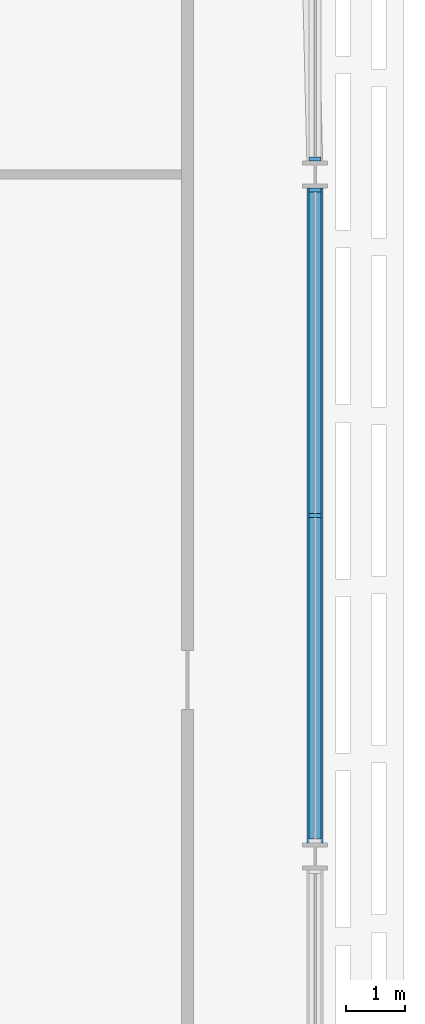
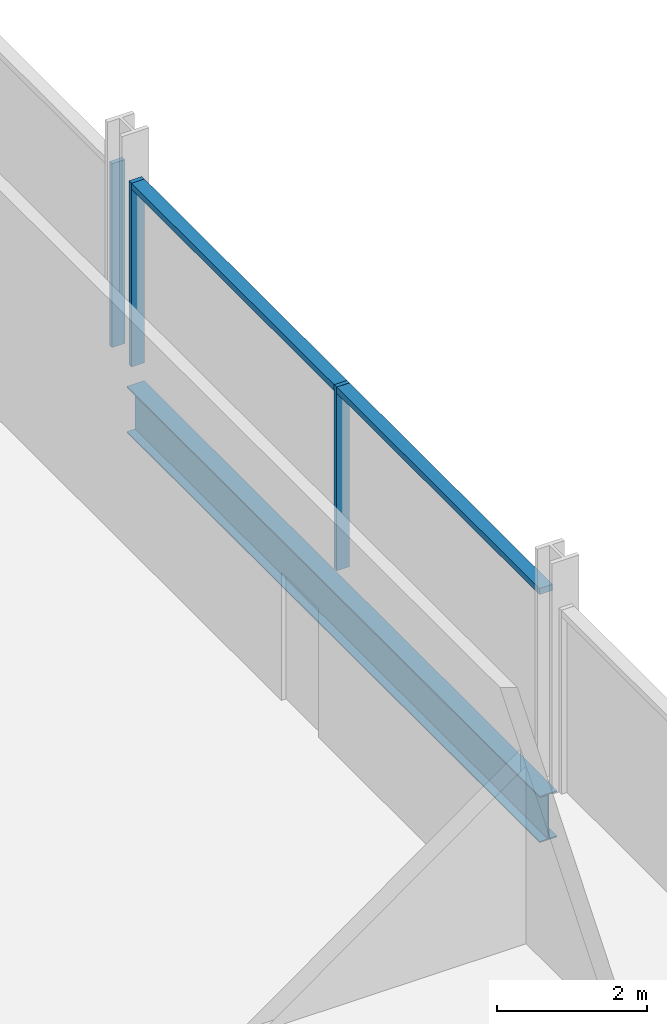
# One storey, part 9 of 29: 5 members, 1 beam, 2 elements without a shape of their own.
"""IFC4 building model written with IfcOpenShell, lengths in metres."""

from ifc_helpers import new_model, si_unit, direction, frame, origin, origin_2d, place, context, subcontext, project, spatial, rectangle, i_section, extrude, material, material_profile, profile_set, type_object, element, aggregate, save


model = new_model("IFC4")

# Units and contexts
model_context = context("Model", 3, precision=1e-05, world=origin(), true_north=direction((0.0, 1.0)))
body_context = subcontext(model_context, "Body", "Model", "MODEL_VIEW")
ifc_project = project(units=[si_unit("LENGTHUNIT", "METRE"), si_unit("AREAUNIT", "SQUARE_METRE"), si_unit("VOLUMEUNIT", "CUBIC_METRE"), si_unit("PLANEANGLEUNIT", "RADIAN"), si_unit("MASSUNIT", "GRAM", prefix="KILO")], contexts=[model_context])

# Site, building, storey
site_placement = place(None, origin())
site = spatial("IfcSite", under=ifc_project, at=site_placement, CompositionType="ELEMENT")
building_placement = place(site_placement, origin())
building = spatial("IfcBuilding", under=site, at=building_placement, Name="Mahtab Terrace Research Tower", CompositionType="ELEMENT")
storey_placement = place(building_placement, frame((0.0, 0.0, 88.89990234375)))
storey = spatial("IfcBuildingStorey", under=building, at=storey_placement, Name="L20", CompositionType="ELEMENT", Elevation=88.89990234375)

# Curtain wall, members
ifc_material_1 = material(Name="Laboratory ribbon curtain wall")
curtain_wall_type = type_object("IfcCurtainWallType", Name="Laboratory ribbon curtain wall", PredefinedType="NOTDEFINED", material=ifc_material_1)
curtain_wall_1_placement = place(storey_placement, origin())
curtain_wall_1 = element("IfcCurtainWall", 1, at=curtain_wall_1_placement, inside=storey, type_object=curtain_wall_type, Name="EN.L20.18.37", PredefinedType="NOTDEFINED")
ifc_material_2 = material(Name="Natural anodised aluminium", Category="aluminium")
ifc_material_profile_1 = material_profile(ifc_material_2, rectangle(XDim=0.199951171875, YDim=0.06494140625, at=origin_2d()), Name="MULLION 65x200")
ifc_profile_set_1 = profile_set([ifc_material_profile_1], Name="Natural anodised aluminium")
member_type_1 = type_object("IfcMemberType", Name="Laboratory ribbon curtain wall mullion", PredefinedType="MULLION", material=ifc_profile_set_1)
member_1_placement = place(storey_placement, frame((54.0, 5.75, 0.0), z_axis=(0.0, 0.0, 1.0), x_axis=(-1.0, 0.0, 0.0)))
member_1 = element("IfcMember", 2, at=member_1_placement, type_object=member_type_1, Name="CWL-3 mullion 2", PredefinedType="MULLION", context=body_context, shape_type="SweptSolid", body=[
    extrude(rectangle(XDim=0.199951171875, YDim=0.06494140625, at=origin_2d()), origin(), (0.0, 0.0, 1.0), 3.003173828125),
])
member_2_placement = place(storey_placement, frame((54.0, 11.239501953125, 0.0), z_axis=(0.0, 0.0, 1.0), x_axis=(-1.0, 0.0, 0.0)))
member_2 = element("IfcMember", 3, at=member_2_placement, type_object=member_type_1, Name="CWL-3 mullion 3", PredefinedType="MULLION", context=body_context, shape_type="SweptSolid", body=[
    extrude(rectangle(XDim=0.199951171875, YDim=0.06494140625, at=origin_2d()), origin(), (0.0, 0.0, 1.0), 3.003173828125),
])

# Curtain wall, member
curtain_wall_2_placement = place(storey_placement, origin())
curtain_wall_2 = element("IfcCurtainWall", 4, at=curtain_wall_2_placement, inside=storey, type_object=curtain_wall_type, Name="EN.L20.18.38", PredefinedType="NOTDEFINED")
member_3_placement = place(storey_placement, frame((54.0, 11.760498046875, 0.0), z_axis=(0.0, 0.0, 1.0), x_axis=(-1.0, 0.0, 0.0)))
member_3 = element("IfcMember", 5, at=member_3_placement, type_object=member_type_1, Name="CWL-3 mullion 1", PredefinedType="MULLION", context=body_context, shape_type="SweptSolid", body=[
    extrude(rectangle(XDim=0.199951171875, YDim=0.06494140625, at=origin_2d()), origin(), (0.0, 0.0, 1.0), 3.003173828125),
])
aggregate(curtain_wall_2, [member_3])

# Member
ifc_material_profile_2 = material_profile(ifc_material_2, rectangle(XDim=0.199951171875, YDim=0.10009765625, at=origin_2d()), Name="TRANSOM 100x200")
ifc_profile_set_2 = profile_set([ifc_material_profile_2], Name="Natural anodised aluminium")
member_type_2 = type_object("IfcMemberType", Name="Laboratory ribbon curtain wall transom", PredefinedType="USERDEFINED", material=ifc_profile_set_2)
member_4_placement = place(storey_placement, frame((54.0, 0.29296875, 2.953125), z_axis=(0.0, 1.0, 0.0), x_axis=(-1.0, 0.0, 0.0)))
member_4 = element("IfcMember", 6, at=member_4_placement, type_object=member_type_2, Name="CWL-3 transom 1", ObjectType="TRANSOM", PredefinedType="USERDEFINED", context=body_context, shape_type="SweptSolid", body=[
    extrude(rectangle(XDim=0.199951171875, YDim=0.10009765625, at=origin_2d()), origin(), (0.0, 0.0, 1.0), 5.424560546875),
])

member_5_placement = place(storey_placement, frame((54.0, 5.782470703125, 2.953125), z_axis=(0.0, 1.0, 0.0), x_axis=(-1.0, 0.0, 0.0)))
member_5 = element("IfcMember", 7, at=member_5_placement, type_object=member_type_2, Name="CWL-3 transom 2", ObjectType="TRANSOM", PredefinedType="USERDEFINED", context=body_context, shape_type="SweptSolid", body=[
    extrude(rectangle(XDim=0.199951171875, YDim=0.10009765625, at=origin_2d()), origin(), (0.0, 0.0, 1.0), 5.424560546875),
])

aggregate(curtain_wall_1, [member_1, member_2, member_4, member_5])

# Beam
ifc_material_3 = material(Name="Steel ASTM A992 Gr 50", Category="steel")
ifc_material_profile_3 = material_profile(ifc_material_3, i_section(OverallWidth=0.2666015625, OverallDepth=0.7568359375, WebThickness=0.013916015625, FlangeThickness=0.019287109375, at=origin_2d()), Name="W30X108")
ifc_profile_set_3 = profile_set([ifc_material_profile_3], Name="Steel ASTM A992 Gr 50")
beam_type = type_object("IfcBeamType", Name="W30x108 beam BS30108", PredefinedType="BEAM", material=ifc_profile_set_3)
beam_placement = place(storey_placement, frame((54.0, 0.227294921875, -0.71826171875), z_axis=(0.0, 1.0, 0.0), x_axis=(-1.0, 0.0, 0.0)))
element("IfcBeam", 8, at=beam_placement, inside=storey, type_object=beam_type, Name="Spandrel beam L20 21", PredefinedType="BEAM", context=body_context, shape_type="SweptSolid", body=[
    extrude(i_section(OverallWidth=0.2666015625, OverallDepth=0.7568359375, WebThickness=0.013916015625, FlangeThickness=0.019287109375, at=origin_2d()), origin(), (0.0, 0.0, 1.0), 11.04541015625),
])

save(model, "model.ifc")
